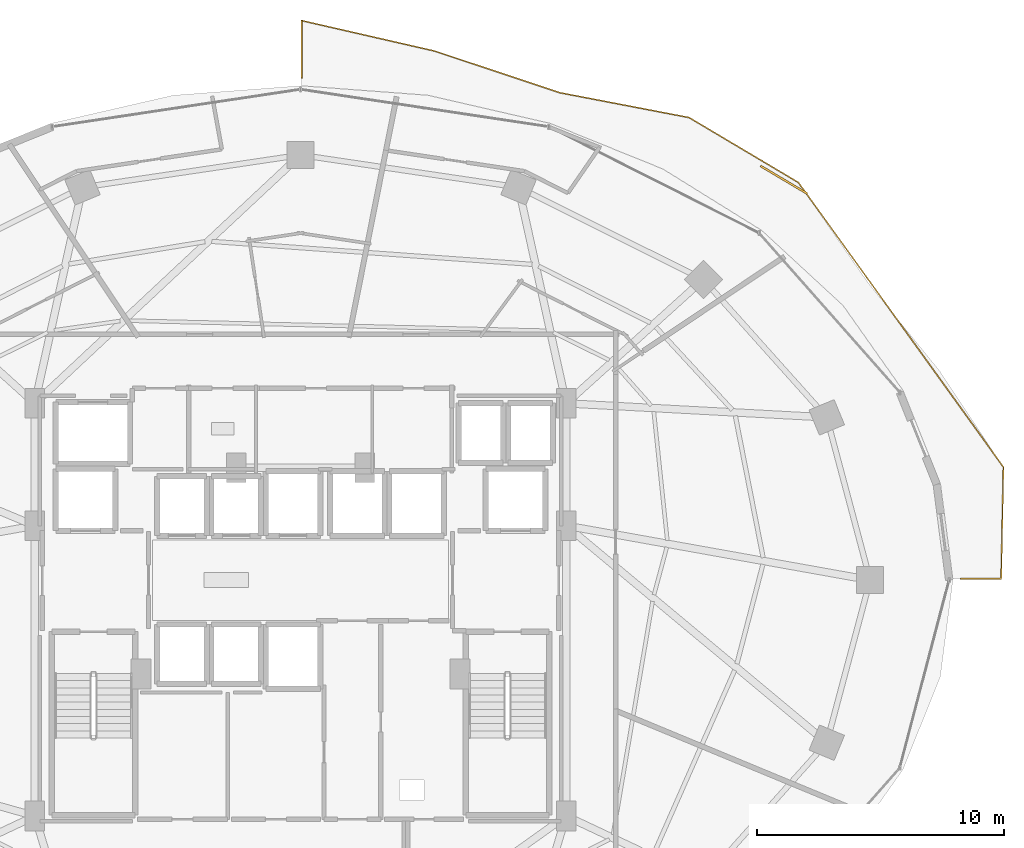
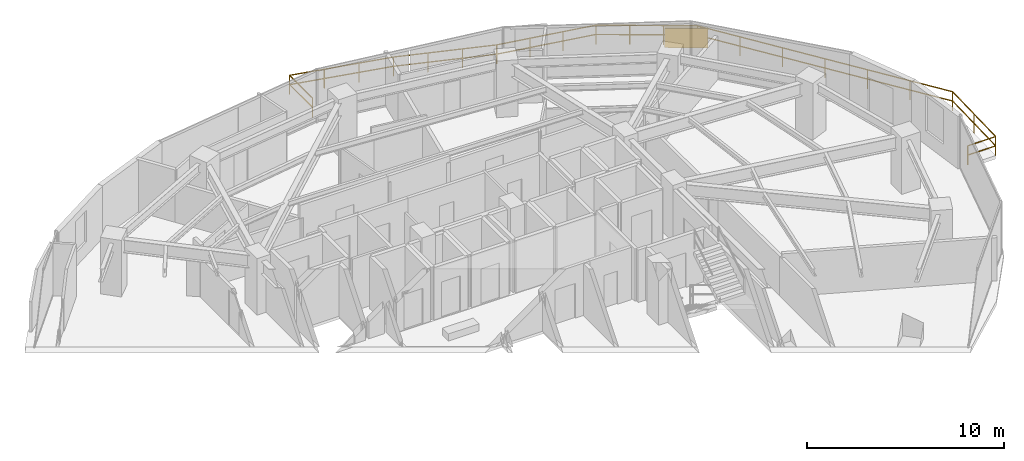
# One storey, part 28 of 29: 2 railings, 1 shading device.
"""IFC4 building model written with IfcOpenShell, lengths in metres."""

from ifc_helpers import new_model, si_unit, direction, frame, origin, origin_2d, place, context, subcontext, project, spatial, rectangle, extrude, material, type_object, element, save


model = new_model("IFC4")

# Units and contexts
model_context = context("Model", 3, precision=1e-05, world=origin(), true_north=direction((0.0, 1.0)))
body_context = subcontext(model_context, "Body", "Model", "MODEL_VIEW")
ifc_project = project(units=[si_unit("LENGTHUNIT", "METRE"), si_unit("AREAUNIT", "SQUARE_METRE"), si_unit("VOLUMEUNIT", "CUBIC_METRE"), si_unit("PLANEANGLEUNIT", "RADIAN"), si_unit("MASSUNIT", "GRAM", prefix="KILO")], contexts=[model_context])

# Site, building, storey
site_placement = place(None, origin())
site = spatial("IfcSite", under=ifc_project, at=site_placement, CompositionType="ELEMENT")
building_placement = place(site_placement, origin())
building = spatial("IfcBuilding", under=site, at=building_placement, Name="Vorneva Point Tower", CompositionType="ELEMENT")
storey_placement = place(building_placement, frame((0.0, 0.0, 85.800048828125)))
storey = spatial("IfcBuildingStorey", under=building, at=storey_placement, Name="L22", CompositionType="ELEMENT", Elevation=85.800048828125)

# Railings
ifc_material = material(Name="Pale anodised aluminium", Category="aluminium")
railing_type = type_object("IfcRailingType", Name="RL-BAL-1200", PredefinedType="BALUSTRADE", material=ifc_material)
railing_1_placement = place(storey_placement, frame((38.050048828125, 48.638671875, 0.0)))
element("IfcRailing", 1, at=railing_1_placement, inside=storey, type_object=railing_type, Name="L22 Wave Balcony Balustrade NE.1", PredefinedType="BALUSTRADE", context=body_context, shape_type="SweptSolid", body=[
    extrude(rectangle(XDim=0.048095703125, YDim=0.048095703125, at=origin_2d()), frame((0.0, 0.0, 1.17578125), z_axis=(0.0, -1.0, 0.0), x_axis=(1.0, 0.0, 0.0)), (0.0, 0.0, 1.0), 2.321533203125),
    extrude(rectangle(XDim=0.048095703125, YDim=0.048095703125, at=origin_2d()), frame((0.0, 0.0, 0.60009765625), z_axis=(0.0, -1.0, 0.0), x_axis=(1.0, 0.0, 0.0)), (0.0, 0.0, 1.0), 2.321533203125),
    extrude(rectangle(XDim=0.0419921875, YDim=0.0419921875, at=origin_2d()), origin(), (0.0, 0.0, 1.0), 1.15185546875),
    extrude(rectangle(XDim=0.0419921875, YDim=0.0419921875, at=origin_2d()), frame((0.0, -2.321533203125, 0.0)), (0.0, 0.0, 1.0), 1.15185546875),
])
railing_2_placement = place(storey_placement, frame((64.71630859375, 26.050048828125, 0.0)))
element("IfcRailing", 2, at=railing_2_placement, inside=storey, type_object=railing_type, Name="L22 Wave Balcony Balustrade NE.2", PredefinedType="BALUSTRADE", context=body_context, shape_type="SweptSolid", body=[
    extrude(rectangle(XDim=0.048095703125, YDim=0.048095703125, at=origin_2d()), frame((0.0, 0.0, 1.17578125), z_axis=(1.0, 0.0, 0.0), x_axis=(0.0, 1.0, 0.0)), (0.0, 0.0, 1.0), 1.634765625),
    extrude(rectangle(XDim=0.048095703125, YDim=0.048095703125, at=origin_2d()), frame((0.0, 0.0, 0.60009765625), z_axis=(1.0, 0.0, 0.0), x_axis=(0.0, 1.0, 0.0)), (0.0, 0.0, 1.0), 1.634765625),
    extrude(rectangle(XDim=0.048095703125, YDim=0.048095703125, at=origin_2d()), frame((1.634765625, 0.0, 1.17578125), z_axis=(0.020299288543, 0.999793948214, 0.0), x_axis=(-0.999793948214, 0.020299288543, 0.0)), (0.0, 0.0, 1.0), 4.522216796875),
    extrude(rectangle(XDim=0.048095703125, YDim=0.048095703125, at=origin_2d()), frame((1.634765625, 0.0, 0.60009765625), z_axis=(0.020299288543, 0.999793948214, 0.0), x_axis=(-0.999793948214, 0.020299288543, 0.0)), (0.0, 0.0, 1.0), 4.522216796875),
    extrude(rectangle(XDim=0.048095703125, YDim=0.048095703125, at=origin_2d()), frame((1.7265625, 4.521240234375, 1.17578125), z_axis=(-0.58451761401, 0.811381019566, 0.0), x_axis=(-0.811381019566, -0.58451761401, 0.0)), (0.0, 0.0, 1.0), 14.19775390625),
    extrude(rectangle(XDim=0.048095703125, YDim=0.048095703125, at=origin_2d()), frame((1.7265625, 4.521240234375, 0.60009765625), z_axis=(-0.58451761401, 0.811381019566, 0.0), x_axis=(-0.811381019566, -0.58451761401, 0.0)), (0.0, 0.0, 1.0), 14.19775390625),
    extrude(rectangle(XDim=0.048095703125, YDim=0.048095703125, at=origin_2d()), frame((-6.572265625, 16.041015625, 1.17578125), z_axis=(-0.859813701546, 0.510607871692, 0.0), x_axis=(-0.510607871692, -0.859813701546, 0.0)), (0.0, 0.0, 1.0), 5.141357421875),
    extrude(rectangle(XDim=0.048095703125, YDim=0.048095703125, at=origin_2d()), frame((-6.572265625, 16.041015625, 0.60009765625), z_axis=(-0.859813701546, 0.510607871692, 0.0), x_axis=(-0.510607871692, -0.859813701546, 0.0)), (0.0, 0.0, 1.0), 5.141357421875),
    extrude(rectangle(XDim=0.048095703125, YDim=0.048095703125, at=origin_2d()), frame((-10.992919921875, 18.666259765625, 1.17578125), z_axis=(-0.982038802022, 0.18867906965, 0.0), x_axis=(-0.18867906965, -0.982038802022, 0.0)), (0.0, 0.0, 1.0), 5.325927734375),
    extrude(rectangle(XDim=0.048095703125, YDim=0.048095703125, at=origin_2d()), frame((-10.992919921875, 18.666259765625, 0.60009765625), z_axis=(-0.982038802022, 0.18867906965, 0.0), x_axis=(-0.18867906965, -0.982038802022, 0.0)), (0.0, 0.0, 1.0), 5.325927734375),
    extrude(rectangle(XDim=0.048095703125, YDim=0.048095703125, at=origin_2d()), frame((-16.22314453125, 19.671142578125, 1.17578125), z_axis=(-0.948856695911, 0.315707096252, 0.0), x_axis=(-0.315707096252, -0.948856695911, 0.0)), (0.0, 0.0, 1.0), 5.345947265625),
    extrude(rectangle(XDim=0.048095703125, YDim=0.048095703125, at=origin_2d()), frame((-16.22314453125, 19.671142578125, 0.60009765625), z_axis=(-0.948856695911, 0.315707096252, 0.0), x_axis=(-0.315707096252, -0.948856695911, 0.0)), (0.0, 0.0, 1.0), 5.345947265625),
    extrude(rectangle(XDim=0.048095703125, YDim=0.048095703125, at=origin_2d()), frame((-21.295654296875, 21.35888671875, 1.17578125), z_axis=(-0.974772904906, 0.22319897818, 0.0), x_axis=(-0.22319897818, -0.974772904906, 0.0)), (0.0, 0.0, 1.0), 5.509521484375),
    extrude(rectangle(XDim=0.048095703125, YDim=0.048095703125, at=origin_2d()), frame((-21.295654296875, 21.35888671875, 0.60009765625), z_axis=(-0.974772904906, 0.22319897818, 0.0), x_axis=(-0.22319897818, -0.974772904906, 0.0)), (0.0, 0.0, 1.0), 5.509521484375),
    extrude(rectangle(XDim=0.0419921875, YDim=0.0419921875, at=origin_2d()), origin(), (0.0, 0.0, 1.0), 1.15185546875),
    extrude(rectangle(XDim=0.0419921875, YDim=0.0419921875, at=origin_2d()), frame((1.634765625, 0.0, 0.0)), (0.0, 0.0, 1.0), 1.15185546875),
    extrude(rectangle(XDim=0.0419921875, YDim=0.0419921875, at=origin_2d()), frame((1.6806640625, 2.2607421875, 0.0)), (0.0, 0.0, 1.0), 1.15185546875),
    extrude(rectangle(XDim=0.0419921875, YDim=0.0419921875, at=origin_2d()), frame((1.7265625, 4.521240234375, 0.0)), (0.0, 0.0, 1.0), 1.15185546875),
    extrude(rectangle(XDim=0.0419921875, YDim=0.0419921875, at=origin_2d()), frame((0.343505859375, 6.441162109375, 0.0)), (0.0, 0.0, 1.0), 1.15185546875),
    extrude(rectangle(XDim=0.0419921875, YDim=0.0419921875, at=origin_2d()), frame((-1.039794921875, 8.361083984375, 0.0)), (0.0, 0.0, 1.0), 1.15185546875),
    extrude(rectangle(XDim=0.0419921875, YDim=0.0419921875, at=origin_2d()), frame((-2.4228515625, 10.28125, 0.0)), (0.0, 0.0, 1.0), 1.15185546875),
    extrude(rectangle(XDim=0.0419921875, YDim=0.0419921875, at=origin_2d()), frame((-3.805908203125, 12.201171875, 0.0)), (0.0, 0.0, 1.0), 1.15185546875),
    extrude(rectangle(XDim=0.0419921875, YDim=0.0419921875, at=origin_2d()), frame((-5.189208984375, 14.12109375, 0.0)), (0.0, 0.0, 1.0), 1.15185546875),
    extrude(rectangle(XDim=0.0419921875, YDim=0.0419921875, at=origin_2d()), frame((-6.572265625, 16.041015625, 0.0)), (0.0, 0.0, 1.0), 1.15185546875),
    extrude(rectangle(XDim=0.0419921875, YDim=0.0419921875, at=origin_2d()), frame((-8.0458984375, 16.916015625, 0.0)), (0.0, 0.0, 1.0), 1.15185546875),
    extrude(rectangle(XDim=0.0419921875, YDim=0.0419921875, at=origin_2d()), frame((-9.519287109375, 17.791259765625, 0.0)), (0.0, 0.0, 1.0), 1.15185546875),
    extrude(rectangle(XDim=0.0419921875, YDim=0.0419921875, at=origin_2d()), frame((-10.992919921875, 18.666259765625, 0.0)), (0.0, 0.0, 1.0), 1.15185546875),
    extrude(rectangle(XDim=0.0419921875, YDim=0.0419921875, at=origin_2d()), frame((-12.736328125, 19.001220703125, 0.0)), (0.0, 0.0, 1.0), 1.15185546875),
    extrude(rectangle(XDim=0.0419921875, YDim=0.0419921875, at=origin_2d()), frame((-14.479736328125, 19.336181640625, 0.0)), (0.0, 0.0, 1.0), 1.15185546875),
    extrude(rectangle(XDim=0.0419921875, YDim=0.0419921875, at=origin_2d()), frame((-16.22314453125, 19.671142578125, 0.0)), (0.0, 0.0, 1.0), 1.15185546875),
    extrude(rectangle(XDim=0.0419921875, YDim=0.0419921875, at=origin_2d()), frame((-17.9140625, 20.233642578125, 0.0)), (0.0, 0.0, 1.0), 1.15185546875),
    extrude(rectangle(XDim=0.0419921875, YDim=0.0419921875, at=origin_2d()), frame((-19.604736328125, 20.79638671875, 0.0)), (0.0, 0.0, 1.0), 1.15185546875),
    extrude(rectangle(XDim=0.0419921875, YDim=0.0419921875, at=origin_2d()), frame((-21.295654296875, 21.35888671875, 0.0)), (0.0, 0.0, 1.0), 1.15185546875),
    extrude(rectangle(XDim=0.0419921875, YDim=0.0419921875, at=origin_2d()), frame((-23.0859375, 21.768798828125, 0.0)), (0.0, 0.0, 1.0), 1.15185546875),
    extrude(rectangle(XDim=0.0419921875, YDim=0.0419921875, at=origin_2d()), frame((-24.8759765625, 22.1787109375, 0.0)), (0.0, 0.0, 1.0), 1.15185546875),
    extrude(rectangle(XDim=0.0419921875, YDim=0.0419921875, at=origin_2d()), frame((-26.666259765625, 22.588623046875, 0.0)), (0.0, 0.0, 1.0), 1.15185546875),
])

# Shading device
shading_device_type = type_object("IfcShadingDeviceType", Name="SHD-JAL-1200", PredefinedType="JALOUSIE", material=ifc_material)
shading_device_placement = place(storey_placement, frame((57.5634765625, 42.19482421875, -0.02001953125), z_axis=(0.0, 0.0, 1.0), x_axis=(-0.859816626882, 0.51060294568, 0.0)))
element("IfcShadingDevice", 3, at=shading_device_placement, inside=storey, type_object=shading_device_type, Name="L22 Balcony Vertical-Greenery Planter Screen NE.2", PredefinedType="JALOUSIE", context=body_context, shape_type="SweptSolid", body=[
    extrude(rectangle(XDim=2.199951171875, YDim=0.080078125, at=origin_2d()), origin(), (0.0, 0.0, 1.0), 1.199951171875),
])

save(model, "model.ifc")
